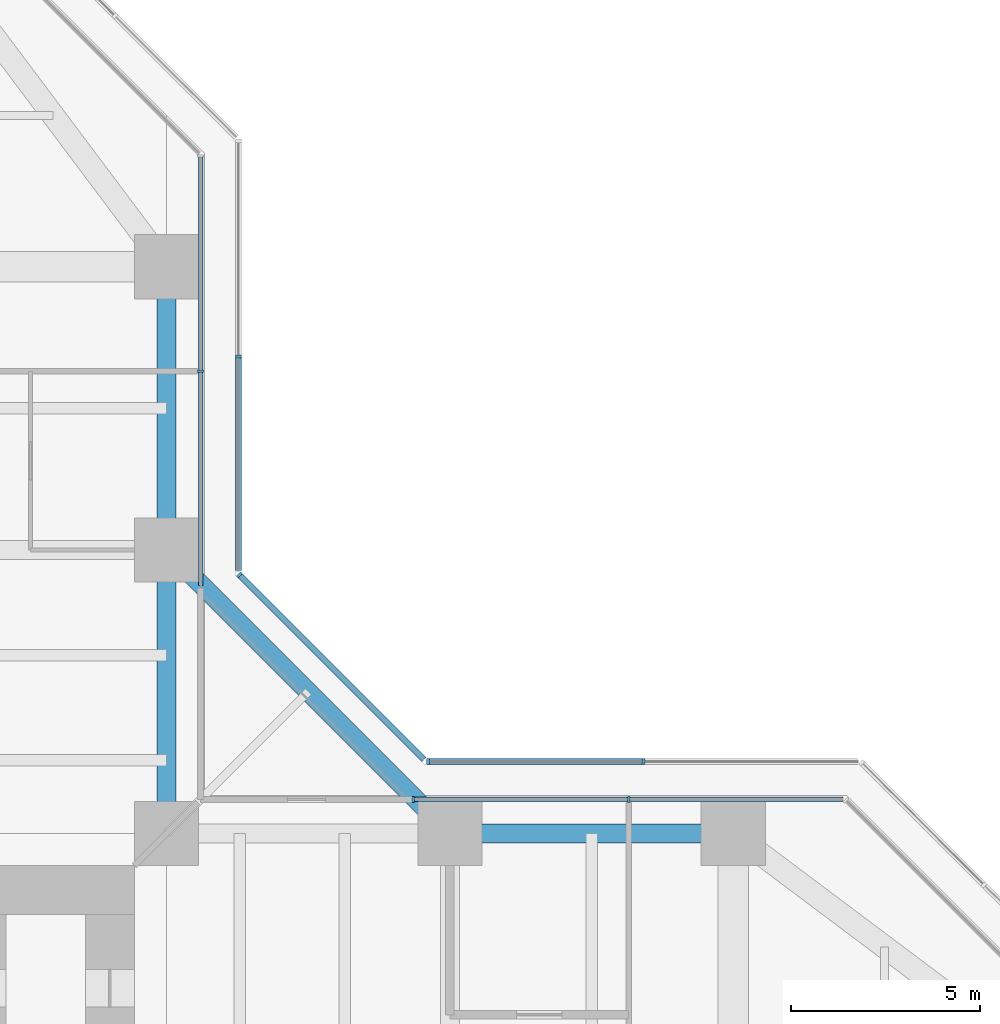
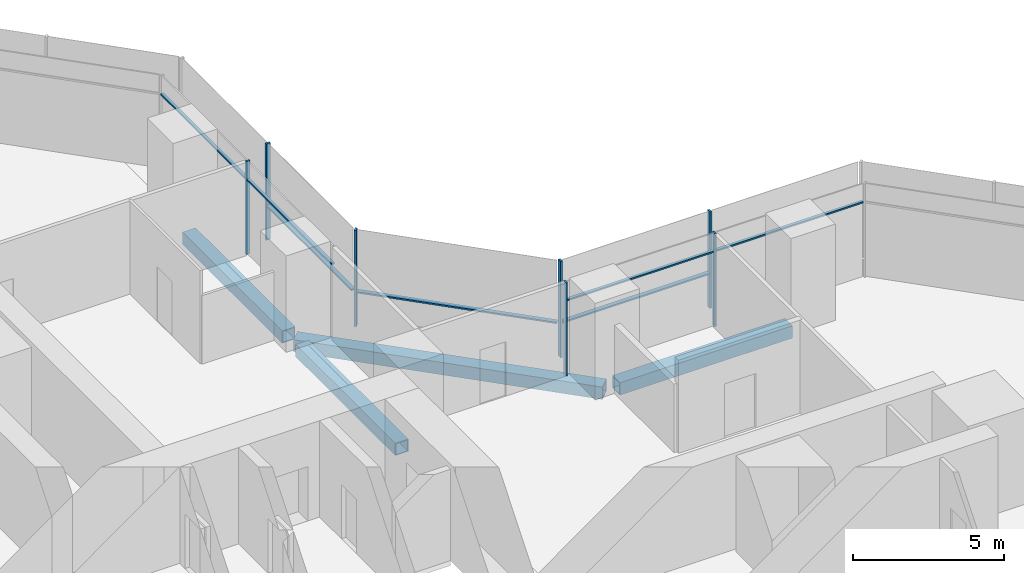
# One storey, part 11 of 22: 14 members, 4 beams, 5 elements without a shape of their own.
"""IFC4 building model written with IfcOpenShell, lengths in metres."""

import ifcopenshell
import ifcopenshell.guid

model = None  # the IFC model being written
_history = None  # IfcOwnerHistory: only IFC2X3 demands one
_inside = {}  # id of a spatial element -> (the spatial element, [elements in it])
_under = {}  # id of a project, library or spatial element -> (it, [spatial elements below it])
_declared = {}  # id of a project -> (the project, [libraries it declares])
_typed = {}  # id of a type object -> (the type object, [elements of that type])
_made_of = {}  # id of a material, layer set ... -> (it, [elements and type objects made of it])


def new_model(schema):
    """Start an empty IFC model of exactly this schema.

    Asked for "IFC4X3", IfcOpenShell would pick the latest addendum, in which some entities
    have other attributes; the version numbers below select the first issue.
    IFC2X3 requires an IfcOwnerHistory on every rooted entity: one is made here for all.
    """
    global model, _history
    if schema == "IFC4X3":
        model = ifcopenshell.file(schema_version=(4, 3, 0, 0))
    else:
        model = ifcopenshell.file(schema=schema)
    _inside.clear()
    _under.clear()
    _declared.clear()
    _typed.clear()
    _made_of.clear()
    _history = None
    if model.schema == "IFC2X3":
        org = make("IfcOrganization", Name="unknown")
        user = make(
            "IfcPersonAndOrganization",
            ThePerson=make("IfcPerson", FamilyName="unknown"),
            TheOrganization=org,
        )
        app = make(
            "IfcApplication",
            ApplicationDeveloper=org,
            Version="unknown",
            ApplicationFullName="unknown",
            ApplicationIdentifier="unknown",
        )
        _history = make(
            "IfcOwnerHistory",
            OwningUser=user,
            OwningApplication=app,
            ChangeAction="ADDED",
            CreationDate=0,
        )
    return model


def make(cls, **values):
    """One entity of the class cls with the attributes given. An attribute that is None is left unset."""
    return model.create_entity(
        cls, **{name: value for name, value in values.items() if value is not None}
    )


def rooted(cls, **values):
    """An entity with a GlobalId (a new one), such as an element, a storey or a relation."""
    return make(cls, GlobalId=ifcopenshell.guid.new(), OwnerHistory=_history, **values)


def si_unit(unit_type, name, prefix=None):
    """IfcSIUnit, for example si_unit("LENGTHUNIT", "METRE", prefix="MILLI")."""
    return make("IfcSIUnit", UnitType=unit_type, Prefix=prefix, Name=name)


def assignment(units):
    """IfcUnitAssignment: the units of a project."""
    return None if units is None else make("IfcUnitAssignment", Units=units)


def point(xyz):
    """IfcCartesianPoint."""
    return None if xyz is None else make("IfcCartesianPoint", Coordinates=xyz)


def direction(xyz):
    """IfcDirection."""
    return None if xyz is None else make("IfcDirection", DirectionRatios=xyz)


def frame(location, z_axis=None, x_axis=None):
    """IfcAxis2Placement3D, a coordinate frame: its origin and axes. An axis left out is left unset."""
    return make(
        "IfcAxis2Placement3D",
        Location=point(location),
        Axis=direction(z_axis),
        RefDirection=direction(x_axis),
    )


def frame_2d(location, x_axis=None):
    """IfcAxis2Placement2D, a coordinate frame in the plane: its origin and x axis."""
    return make(
        "IfcAxis2Placement2D", Location=point(location), RefDirection=direction(x_axis)
    )


def origin():
    """The frame at (0, 0, 0) with its axes left unset."""
    return frame((0.0, 0.0, 0.0))


def origin_2d():
    """The frame at (0, 0) in the plane with its x axis left unset."""
    return frame_2d((0.0, 0.0))


def place(relative_to, where):
    """IfcLocalPlacement: puts the frame where relative to a parent placement (None: the world)."""
    return make(
        "IfcLocalPlacement", PlacementRelTo=relative_to, RelativePlacement=where
    )


def context(
    kind, dimensions, precision=None, world=None, true_north=None, identifier=None
):
    """IfcGeometricRepresentationContext, for example the 3D "Model" context."""
    return make(
        "IfcGeometricRepresentationContext",
        ContextIdentifier=identifier,
        ContextType=kind,
        CoordinateSpaceDimension=dimensions,
        Precision=precision,
        WorldCoordinateSystem=world,
        TrueNorth=true_north,
    )


def subcontext(parent, identifier, kind, view, scale=None):
    """IfcGeometricRepresentationSubContext, for example "Body" below "Model"."""
    return make(
        "IfcGeometricRepresentationSubContext",
        ContextIdentifier=identifier,
        ContextType=kind,
        ParentContext=parent,
        TargetScale=scale,
        TargetView=view,
    )


def project(units=None, contexts=None):
    """IfcProject with its units and contexts."""
    return rooted(
        "IfcProject",
        Name="project",
        RepresentationContexts=contexts,
        UnitsInContext=assignment(units),
    )


def spatial(cls, under=None, at=None, **own):
    """A site, building, storey or space (cls), placed at a placement, below another one or the project."""
    s = rooted(cls, ObjectPlacement=at, **own)
    if under is not None:
        _under.setdefault(under.id(), (under, []))[1].append(s)
    return s


def profile(cls, at=None, kind="AREA", **sizes):
    """A parametric profile (cls). Its sizes go by their IFC names, for example OverallWidth=200.0."""
    return make(cls, ProfileType=kind, Position=at, **sizes)


def rectangle(**sizes):
    """IfcRectangleProfileDef."""
    return profile("IfcRectangleProfileDef", **sizes)


def hollow_rectangle(**sizes):
    """IfcRectangleHollowProfileDef."""
    return profile("IfcRectangleHollowProfileDef", **sizes)


def extrude(swept, where, along, depth):
    """IfcExtrudedAreaSolid: the profile swept, set in the frame where, extruded along a direction by depth."""
    return make(
        "IfcExtrudedAreaSolid",
        SweptArea=swept,
        Position=where,
        ExtrudedDirection=direction(along),
        Depth=depth,
    )


def shape(context_of_items, identifier, shape_type, items):
    """IfcShapeRepresentation: the items that make up one representation, for example the "Body"."""
    return make(
        "IfcShapeRepresentation",
        ContextOfItems=context_of_items,
        RepresentationIdentifier=identifier,
        RepresentationType=shape_type,
        Items=items,
    )


def material(Name=None, Category=None):
    """IfcMaterial."""
    return make("IfcMaterial", Name=Name, Category=Category)


def material_profile(
    of_material, cross_section, Name=None, Category=None, Priority=None
):
    """IfcMaterialProfile: a cross section and its material."""
    return make(
        "IfcMaterialProfile",
        Name=Name,
        Material=of_material,
        Profile=cross_section,
        Priority=Priority,
        Category=Category,
    )


def profile_set(profiles, Name=None, composite=None):
    """IfcMaterialProfileSet."""
    return make(
        "IfcMaterialProfileSet",
        Name=Name,
        MaterialProfiles=profiles,
        CompositeProfile=composite,
    )


def made_of(thing, what):
    """Note that an element or type object is made of a material, layer set ...; save() writes the relation."""
    if what is not None:
        _made_of.setdefault(what.id(), (what, []))[1].append(thing)
    return thing


def type_object(cls, material=None, **own):
    """A type object (cls), such as IfcWallType, which elements share."""
    return made_of(rooted(cls, **own), material)


def element(
    cls,
    number,
    at=None,
    inside=None,
    cuts=None,
    type_object=None,
    material=None,
    context=None,
    identifier="Body",
    shape_type=None,
    held_by="IfcProductDefinitionShape",
    body=None,
    shapes=None,
    **own,
):
    """One element of the class cls, such as IfcWall. Its Tag is "e" and its number.

    at: its placement. inside: the storey or other place that contains it. cuts: it is an
    opening in that element (IfcRelVoidsElement). A single representation is given by context,
    identifier, shape_type and body (its items); several are given by shapes. held_by: the class
    of the entity that holds the representations. save() writes the other relations.
    """
    e = rooted(cls, Tag="e%d" % number, ObjectPlacement=at, **own)
    if body is not None:
        shapes = [shape(context, identifier, shape_type, body)]
    if shapes is not None:
        e.Representation = make(held_by, Representations=shapes)
    if inside is not None:
        _inside.setdefault(inside.id(), (inside, []))[1].append(e)
    if cuts is not None:
        rooted(
            "IfcRelVoidsElement", RelatingBuildingElement=cuts, RelatedOpeningElement=e
        )
    if type_object is not None:
        _typed.setdefault(type_object.id(), (type_object, []))[1].append(e)
    return made_of(e, material)


def aggregate(whole, parts):
    """IfcRelAggregates: a whole, such as a stair, and the parts it consists of."""
    return rooted("IfcRelAggregates", RelatingObject=whole, RelatedObjects=parts)


def save(model, path):
    """Write the relations noted so far, then the file.

    IfcRelAggregates (storeys below a building ...), IfcRelContainedInSpatialStructure (elements
    in a storey), IfcRelDefinesByType, IfcRelAssociatesMaterial and IfcRelDeclares: one each for
    every whole, place, type object, material and project.
    """
    for whole, parts in _under.values():
        aggregate(whole, parts)
    for where, things in _inside.values():
        rooted(
            "IfcRelContainedInSpatialStructure",
            RelatedElements=things,
            RelatingStructure=where,
        )
    for kind, things in _typed.values():
        rooted("IfcRelDefinesByType", RelatedObjects=things, RelatingType=kind)
    for what, things in _made_of.values():
        rooted("IfcRelAssociatesMaterial", RelatedObjects=things, RelatingMaterial=what)
    for by, libraries in _declared.values():
        rooted("IfcRelDeclares", RelatingContext=by, RelatedDefinitions=libraries)
    model.write(path)


model = new_model("IFC4")

# Units and contexts
model_context = context("Model", 3, precision=1e-05, world=origin(), true_north=direction((0.0, 1.0)))
body_context = subcontext(model_context, "Body", "Model", "MODEL_VIEW")
ifc_project = project(units=[si_unit("LENGTHUNIT", "METRE"), si_unit("AREAUNIT", "SQUARE_METRE"), si_unit("VOLUMEUNIT", "CUBIC_METRE"), si_unit("PLANEANGLEUNIT", "RADIAN"), si_unit("MASSUNIT", "GRAM", prefix="KILO")], contexts=[model_context])

# Site, building, storey
site_placement = place(None, origin())
site = spatial("IfcSite", under=ifc_project, at=site_placement, CompositionType="ELEMENT")
building_placement = place(site_placement, origin())
building = spatial("IfcBuilding", under=site, at=building_placement, Name="Mizan Broadcast Tower", CompositionType="ELEMENT")
storey_placement = place(building_placement, frame((0.0, 0.0, 78.60009765625)))
storey = spatial("IfcBuildingStorey", under=building, at=storey_placement, Name="L16", CompositionType="ELEMENT", Elevation=78.60009765625)

# Beams
ifc_material_1 = material(Name="Steel S355", Category="steel")
ifc_material_profile_1 = material_profile(ifc_material_1, hollow_rectangle(XDim=0.5, YDim=0.5, WallThickness=0.030029296875, at=origin_2d()), Name="BOX 500x500x30")
ifc_profile_set_1 = profile_set([ifc_material_profile_1], Name="Steel S355")
beam_type = type_object("IfcBeamType", Name="EDGE BEAM BOX 500x500x30", PredefinedType="SPANDREL", material=ifc_profile_set_1)
for number, where, z_axis, x_axis, name in (
    (1, (19.949951171875, 12.0, -0.380126953125), (1.0, 0.0, 0.0), (0.0, 1.0, 0.0), "Edge beam BOX 500x500x30 L16 east arm"),
    (2, (12.0, 12.449951171875, -0.380126953125), (0.0, 1.0, 0.0), (-1.0, 0.0, 0.0), "Edge beam BOX 500x500x30 L16 north arm"),
    (3, (12.0, 19.949951171875, -0.380126953125), (0.0, 1.0, 0.0), (-1.0, 0.0, 0.0), "Edge beam BOX 500x500x30 L16 north arm"),
):
    element("IfcBeam", number, at=place(storey_placement, frame(where, z_axis=z_axis, x_axis=x_axis)), inside=storey, type_object=beam_type, Name=name, PredefinedType="SPANDREL", context=body_context, shape_type="SweptSolid", body=[
        extrude(hollow_rectangle(XDim=0.5, YDim=0.5, WallThickness=0.030029296875, at=origin_2d()), origin(), (0.0, 0.0, 1.0), 6.60009765625),
    ])
beam_placement = place(storey_placement, frame((19.5, 12.0, -0.380126953125), z_axis=(-0.707106781187, 0.707106781187, 0.0), x_axis=(-0.707106781187, -0.707106781187, 0.0)))
element("IfcBeam", 4, at=beam_placement, inside=storey, type_object=beam_type, Name="Winter garden edge beam L16 E", PredefinedType="SPANDREL", context=body_context, shape_type="SweptSolid", body=[
    extrude(hollow_rectangle(XDim=0.5, YDim=0.5, WallThickness=0.030029296875, at=origin_2d()), origin(), (0.0, 0.0, 1.0), 10.606689453125),
])

# Curtain wall, members
ifc_material_2 = material(Name="Aluminium framed glazing", Category="aluminium")
curtain_wall_type_1 = type_object("IfcCurtainWallType", Name="INNER SKIN LOW ZONE", PredefinedType="USERDEFINED", material=ifc_material_2)
curtain_wall_1_placement = place(storey_placement, origin())
curtain_wall_1 = element("IfcCurtainWall", 5, at=curtain_wall_1_placement, inside=storey, type_object=curtain_wall_type_1, Name="Inner skin low zone L16 E side", ObjectType="INNER SKIN LOW ZONE", PredefinedType="USERDEFINED")
ifc_material_3 = material(Name="Aluminium, pale anodised", Category="aluminium")
ifc_material_profile_2 = material_profile(ifc_material_3, rectangle(XDim=0.159912109375, YDim=0.06005859375, at=origin_2d()), Name="MULLION 160x60")
ifc_profile_set_2 = profile_set([ifc_material_profile_2], Name="Aluminium, pale anodised")
member_type_1 = type_object("IfcMemberType", Name="INNER SKIN MULLION 60x160", PredefinedType="MULLION", material=ifc_profile_set_2)
member_1_placement = place(storey_placement, frame((24.229248046875, 12.89990234375, 0.0), z_axis=(0.0, 0.0, 1.0), x_axis=(0.0, -1.0, 0.0)))
member_1 = element("IfcMember", 6, at=member_1_placement, type_object=member_type_1, Name="Inner skin low zone L16 E side mullion 2", PredefinedType="MULLION", context=body_context, shape_type="SweptSolid", body=[
    extrude(rectangle(XDim=0.159912109375, YDim=0.06005859375, at=origin_2d()), origin(), (0.0, 0.0, 1.0), 3.77001953125),
])
member_2_placement = place(storey_placement, frame((18.530029296875, 12.89990234375, 0.0), z_axis=(0.0, 0.0, 1.0), x_axis=(0.0, -1.0, 0.0)))
member_2 = element("IfcMember", 7, at=member_2_placement, type_object=member_type_1, Name="Inner skin low zone L16 E side mullion 3", PredefinedType="MULLION", context=body_context, shape_type="SweptSolid", body=[
    extrude(rectangle(XDim=0.159912109375, YDim=0.06005859375, at=origin_2d()), origin(), (0.0, 0.0, 1.0), 3.77001953125),
])

# Curtain wall, member
curtain_wall_2_placement = place(storey_placement, origin())
curtain_wall_2 = element("IfcCurtainWall", 8, at=curtain_wall_2_placement, inside=storey, type_object=curtain_wall_type_1, Name="Inner skin low zone L16 N side", ObjectType="INNER SKIN LOW ZONE", PredefinedType="USERDEFINED")
member_3_placement = place(storey_placement, frame((12.89990234375, 24.229248046875, 0.0), z_axis=(0.0, 0.0, 1.0), x_axis=(-1.0, 0.0, 0.0)))
member_3 = element("IfcMember", 9, at=member_3_placement, type_object=member_type_1, Name="Inner skin low zone L16 N side mullion 2", PredefinedType="MULLION", context=body_context, shape_type="SweptSolid", body=[
    extrude(rectangle(XDim=0.159912109375, YDim=0.06005859375, at=origin_2d()), origin(), (0.0, 0.0, 1.0), 3.77001953125),
])

# Member
ifc_material_4 = material(Name="Aluminium, pale anodised", Category="aluminium")
ifc_material_profile_3 = material_profile(ifc_material_4, rectangle(XDim=0.1201171875, YDim=0.06005859375, at=origin_2d()), Name="TRANSOM 120x60")
ifc_profile_set_3 = profile_set([ifc_material_profile_3], Name="Aluminium, pale anodised")
member_type_2 = type_object("IfcMemberType", Name="INNER SKIN TRANSOM 60x120", PredefinedType="USERDEFINED", material=ifc_profile_set_3)
member_4_placement = place(storey_placement, frame((29.898681640625, 12.89990234375, 3.02978515625), z_axis=(-1.0, 0.0, 0.0), x_axis=(0.0, -1.0, 0.0)))
member_4 = element("IfcMember", 10, at=member_4_placement, type_object=member_type_2, Name="Inner skin low zone L16 E side transom 1.1", ObjectType="TRANSOM", PredefinedType="USERDEFINED", context=body_context, shape_type="SweptSolid", body=[
    extrude(rectangle(XDim=0.1201171875, YDim=0.06005859375, at=origin_2d()), origin(), (0.0, 0.0, 1.0), 5.639404296875),
])

member_5_placement = place(storey_placement, frame((24.19921875, 12.89990234375, 3.02978515625), z_axis=(-1.0, 0.0, 0.0), x_axis=(0.0, -1.0, 0.0)))
member_5 = element("IfcMember", 11, at=member_5_placement, type_object=member_type_2, Name="Inner skin low zone L16 E side transom 2.1", ObjectType="TRANSOM", PredefinedType="USERDEFINED", context=body_context, shape_type="SweptSolid", body=[
    extrude(rectangle(XDim=0.1201171875, YDim=0.06005859375, at=origin_2d()), origin(), (0.0, 0.0, 1.0), 5.63916015625),
])

aggregate(curtain_wall_1, [member_1, member_2, member_4, member_5])

member_6_placement = place(storey_placement, frame((12.89990234375, 18.56005859375, 3.02978515625), z_axis=(0.0, 1.0, 0.0), x_axis=(-1.0, 0.0, 0.0)))
member_6 = element("IfcMember", 12, at=member_6_placement, type_object=member_type_2, Name="Inner skin low zone L16 N side transom 1.1", ObjectType="TRANSOM", PredefinedType="USERDEFINED", context=body_context, shape_type="SweptSolid", body=[
    extrude(rectangle(XDim=0.1201171875, YDim=0.06005859375, at=origin_2d()), origin(), (0.0, 0.0, 1.0), 5.63916015625),
])

member_7_placement = place(storey_placement, frame((12.89990234375, 24.25927734375, 3.02978515625), z_axis=(0.0, 1.0, 0.0), x_axis=(-1.0, 0.0, 0.0)))
member_7 = element("IfcMember", 13, at=member_7_placement, type_object=member_type_2, Name="Inner skin low zone L16 N side transom 2.1", ObjectType="TRANSOM", PredefinedType="USERDEFINED", context=body_context, shape_type="SweptSolid", body=[
    extrude(rectangle(XDim=0.1201171875, YDim=0.06005859375, at=origin_2d()), origin(), (0.0, 0.0, 1.0), 5.639404296875),
])

aggregate(curtain_wall_2, [member_3, member_6, member_7])

# Curtain wall, members
ifc_material_5 = material(Name="Aluminium framed glazing", Category="aluminium")
curtain_wall_type_2 = type_object("IfcCurtainWallType", Name="OUTER SKIN", PredefinedType="USERDEFINED", material=ifc_material_5)
curtain_wall_3_placement = place(storey_placement, origin())
curtain_wall_3 = element("IfcCurtainWall", 14, at=curtain_wall_3_placement, inside=storey, type_object=curtain_wall_type_2, Name="Outer skin L16 E side", ObjectType="OUTER SKIN", PredefinedType="USERDEFINED")
ifc_material_6 = material(Name="Aluminium, pale anodised", Category="aluminium")
ifc_material_profile_4 = material_profile(ifc_material_6, rectangle(XDim=0.159912109375, YDim=0.080078125, at=origin_2d()), Name="MULLION 160x80")
ifc_profile_set_4 = profile_set([ifc_material_profile_4], Name="Aluminium, pale anodised")
member_type_3 = type_object("IfcMemberType", Name="OUTER SKIN MULLION 80x160", PredefinedType="MULLION", material=ifc_profile_set_4)
member_8_placement = place(storey_placement, frame((24.622802734375, 13.89990234375, 0.0), z_axis=(0.0, 0.0, 1.0), x_axis=(0.0, -1.0, 0.0)))
member_8 = element("IfcMember", 15, at=member_8_placement, type_object=member_type_3, Name="Outer skin L16 E side mullion 2", PredefinedType="MULLION", context=body_context, shape_type="SweptSolid", body=[
    extrude(rectangle(XDim=0.159912109375, YDim=0.080078125, at=origin_2d()), origin(), (0.0, 0.0, 1.0), 3.89990234375),
])
member_9_placement = place(storey_placement, frame((18.912841796875, 13.89990234375, 0.0), z_axis=(0.0, 0.0, 1.0), x_axis=(0.0, -1.0, 0.0)))
member_9 = element("IfcMember", 16, at=member_9_placement, type_object=member_type_3, Name="Outer skin L16 E side mullion 3", PredefinedType="MULLION", context=body_context, shape_type="SweptSolid", body=[
    extrude(rectangle(XDim=0.159912109375, YDim=0.080078125, at=origin_2d()), origin(), (0.0, 0.0, 1.0), 3.89990234375),
])

# Curtain wall, member
curtain_wall_4_placement = place(storey_placement, origin())
curtain_wall_4 = element("IfcCurtainWall", 17, at=curtain_wall_4_placement, inside=storey, type_object=curtain_wall_type_2, Name="Outer skin L16 E chamfer", ObjectType="OUTER SKIN", PredefinedType="USERDEFINED")
member_10_placement = place(storey_placement, frame((13.92822265625, 18.844482421875, 0.0), z_axis=(0.0, 0.0, 1.0), x_axis=(-0.707106781187, -0.707106781187, 0.0)))
member_10 = element("IfcMember", 18, at=member_10_placement, type_object=member_type_3, Name="Outer skin L16 E chamfer mullion 2", PredefinedType="MULLION", context=body_context, shape_type="SweptSolid", body=[
    extrude(rectangle(XDim=0.159912109375, YDim=0.080078125, at=origin_2d()), origin(), (0.0, 0.0, 1.0), 3.89990234375),
])

curtain_wall_5_placement = place(storey_placement, origin())
curtain_wall_5 = element("IfcCurtainWall", 19, at=curtain_wall_5_placement, inside=storey, type_object=curtain_wall_type_2, Name="Outer skin L16 N side", ObjectType="OUTER SKIN", PredefinedType="USERDEFINED")
member_11_placement = place(storey_placement, frame((13.89990234375, 24.622802734375, 0.0), z_axis=(0.0, 0.0, 1.0), x_axis=(-1.0, 0.0, 0.0)))
member_11 = element("IfcMember", 20, at=member_11_placement, type_object=member_type_3, Name="Outer skin L16 N side mullion 2", PredefinedType="MULLION", context=body_context, shape_type="SweptSolid", body=[
    extrude(rectangle(XDim=0.159912109375, YDim=0.080078125, at=origin_2d()), origin(), (0.0, 0.0, 1.0), 3.89990234375),
])

# Member
ifc_material_7 = material(Name="Aluminium, pale anodised", Category="aluminium")
ifc_material_profile_5 = material_profile(ifc_material_7, rectangle(XDim=0.159912109375, YDim=0.06005859375, at=origin_2d()), Name="TRANSOM 160x60")
ifc_profile_set_5 = profile_set([ifc_material_profile_5], Name="Aluminium, pale anodised")
member_type_4 = type_object("IfcMemberType", Name="OUTER SKIN TRANSOM 60x160", PredefinedType="USERDEFINED", material=ifc_profile_set_5)
member_12_placement = place(storey_placement, frame((24.582763671875, 13.89990234375, 1.39990234375), z_axis=(-1.0, 0.0, 0.0), x_axis=(0.0, -1.0, 0.0)))
member_12 = element("IfcMember", 21, at=member_12_placement, type_object=member_type_4, Name="Outer skin L16 E side transom 2.1", ObjectType="TRANSOM", PredefinedType="USERDEFINED", context=body_context, shape_type="SweptSolid", body=[
    extrude(rectangle(XDim=0.159912109375, YDim=0.06005859375, at=origin_2d()), origin(), (0.0, 0.0, 1.0), 5.6298828125),
])

aggregate(curtain_wall_3, [member_8, member_9, member_12])

member_13_placement = place(storey_placement, frame((18.816162109375, 13.95654296875, 1.39990234375), z_axis=(-0.707106781187, 0.707106781187, 0.0), x_axis=(-0.707106781187, -0.707106781187, 0.0)))
member_13 = element("IfcMember", 22, at=member_13_placement, type_object=member_type_4, Name="Outer skin L16 E chamfer transom 1.1", ObjectType="TRANSOM", PredefinedType="USERDEFINED", context=body_context, shape_type="SweptSolid", body=[
    extrude(rectangle(XDim=0.159912109375, YDim=0.06005859375, at=origin_2d()), origin(), (0.0, 0.0, 1.0), 6.87255859375),
])

aggregate(curtain_wall_4, [member_10, member_13])

member_14_placement = place(storey_placement, frame((13.89990234375, 18.952880859375, 1.39990234375), z_axis=(0.0, 1.0, 0.0), x_axis=(-1.0, 0.0, 0.0)))
member_14 = element("IfcMember", 23, at=member_14_placement, type_object=member_type_4, Name="Outer skin L16 N side transom 1.1", ObjectType="TRANSOM", PredefinedType="USERDEFINED", context=body_context, shape_type="SweptSolid", body=[
    extrude(rectangle(XDim=0.159912109375, YDim=0.06005859375, at=origin_2d()), origin(), (0.0, 0.0, 1.0), 5.6298828125),
])

aggregate(curtain_wall_5, [member_11, member_14])

save(model, "model.ifc")
